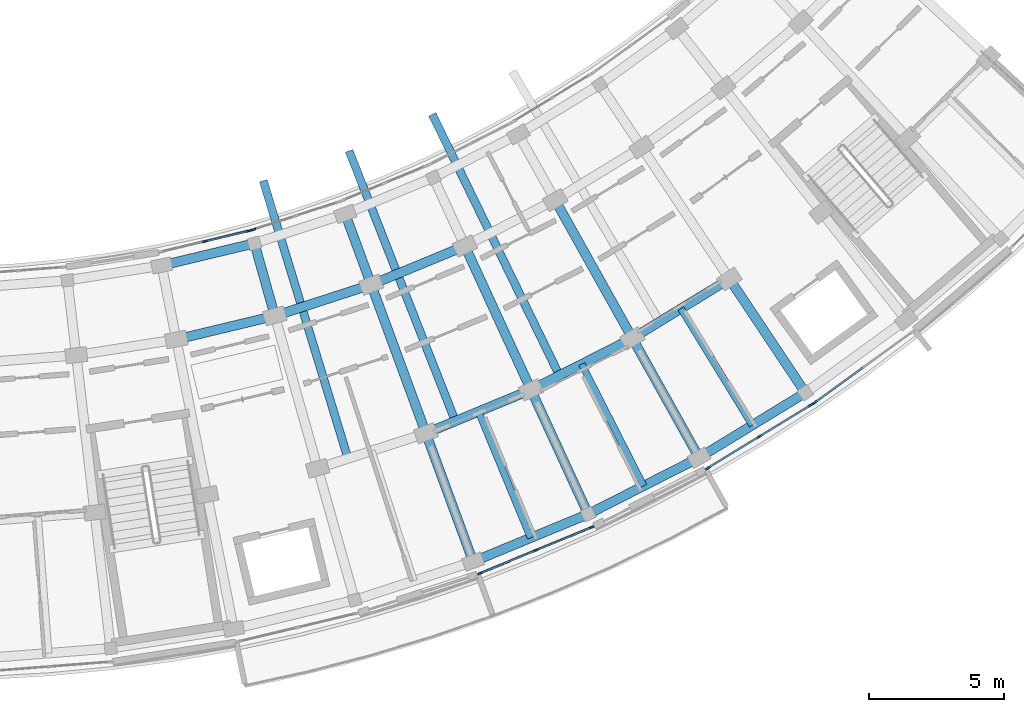
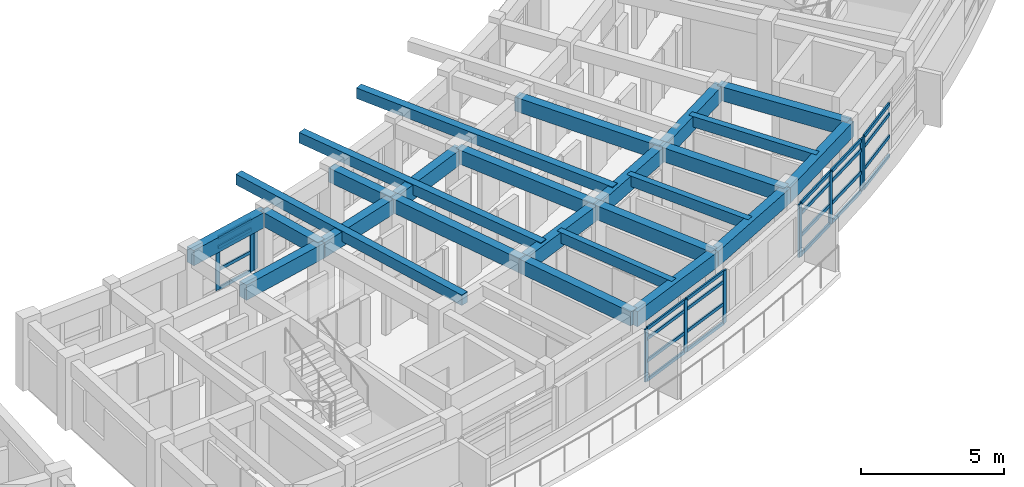
# One storey, part 18 of 55: 34 members, 25 beams, 5 elements without a shape of their own.
"""IFC4 building model written with IfcOpenShell, lengths in metres."""

from ifc_helpers import new_model, si_unit, direction, frame, origin, origin_2d, place, context, subcontext, project, spatial, rectangle, extrude, material, material_profile, profile_set, type_object, element, aggregate, save


model = new_model("IFC4")

# Units and contexts
model_context = context("Model", 3, precision=1e-05, world=origin(), true_north=direction((0.0, 1.0)))
body_context = subcontext(model_context, "Body", "Model", "MODEL_VIEW")
ifc_project = project(units=[si_unit("LENGTHUNIT", "METRE"), si_unit("AREAUNIT", "SQUARE_METRE"), si_unit("VOLUMEUNIT", "CUBIC_METRE"), si_unit("PLANEANGLEUNIT", "RADIAN"), si_unit("MASSUNIT", "GRAM", prefix="KILO")], contexts=[model_context])

# Site, building, storey
site_placement = place(None, origin())
site = spatial("IfcSite", under=ifc_project, at=site_placement, CompositionType="ELEMENT")
building_placement = place(site_placement, origin())
building = spatial("IfcBuilding", under=site, at=building_placement, Name="Zimvara Arc Housing Community", CompositionType="ELEMENT")
storey_placement = place(building_placement, frame((0.0, 0.0, 14.300048828125)))
storey = spatial("IfcBuildingStorey", under=building, at=storey_placement, Name="L04", CompositionType="ELEMENT", Elevation=14.300048828125)

# Beams
ifc_material_1 = material(Name="Concrete C40/50", Category="concrete")
ifc_material_profile_1 = material_profile(ifc_material_1, rectangle(XDim=0.25, YDim=0.449951171875, at=origin_2d()), Name="RC 250x450")
ifc_profile_set_1 = profile_set([ifc_material_profile_1], Name="Concrete C40/50")
beam_type_1 = type_object("IfcBeamType", Name="BM-RC-250x450", PredefinedType="JOIST", material=ifc_profile_set_1)
beam_1_placement = place(storey_placement, frame((146.509033203125, 60.17578125, 2.635009765625), z_axis=(0.381881623909, -0.924211244966, 0.0), x_axis=(0.924211244966, 0.381881623909, 0.0)))
element("IfcBeam", 1, at=beam_1_placement, inside=storey, type_object=beam_type_1, Name="bm:blkD:L04:joist:b4", PredefinedType="JOIST", context=body_context, shape_type="SweptSolid", body=[
    extrude(rectangle(XDim=0.25, YDim=0.449951171875, at=origin_2d()), origin(), (0.0, 0.0, 1.0), 5.076171875),
])
for number, where, z_axis, x_axis, name in (
    (2, (150.343994140625, 61.939453125, 2.635009765625), (0.453225300679, -0.891395998883, 0.0), (0.891395998883, 0.453225300679, 0.0), "bm:blkD:L04:joist:b5"),
    (3, (154.02880859375, 63.998779296875, 2.635009765625), (0.521755418526, -0.85309511969, 0.0), (0.85309511969, 0.521755418526, 0.0), "bm:blkD:L04:joist:b6"),
):
    element("IfcBeam", number, at=place(storey_placement, frame(where, z_axis=z_axis, x_axis=x_axis)), inside=storey, type_object=beam_type_1, Name=name, PredefinedType="JOIST", context=body_context, shape_type="SweptSolid", body=[
        extrude(rectangle(XDim=0.25, YDim=0.449951171875, at=origin_2d()), origin(), (0.0, 0.0, 1.0), 5.075927734375),
    ])
ifc_material_2 = material(Name="Concrete C40/50", Category="concrete")
ifc_material_profile_2 = material_profile(ifc_material_2, rectangle(XDim=0.300048828125, YDim=0.449951171875, at=origin_2d()), Name="RC 300x450")
ifc_profile_set_2 = profile_set([ifc_material_profile_2], Name="Concrete C40/50")
beam_type_2 = type_object("IfcBeamType", Name="BM-RC-300x450", PredefinedType="JOIST", material=ifc_profile_set_2)
beam_2_placement = place(storey_placement, frame((141.673583984375, 58.39990234375, 2.6650390625), z_axis=(-0.2917065774, 0.956507852922, 0.0), x_axis=(-0.956507852922, -0.2917065774, 0.0)))
element("IfcBeam", 4, at=beam_2_placement, inside=storey, type_object=beam_type_2, Name="bm:blkD:L04:cant_in:b3", PredefinedType="JOIST", context=body_context, shape_type="SweptSolid", body=[
    extrude(rectangle(XDim=0.300048828125, YDim=0.449951171875, at=origin_2d()), origin(), (0.0, 0.0, 1.0), 10.820068359375),
])
beam_3_placement = place(storey_placement, frame((145.662841796875, 59.789794921875, 2.6650390625), z_axis=(-0.365852023877, 0.93067303422, 0.0), x_axis=(-0.93067303422, -0.365852023877, 0.0)))
element("IfcBeam", 5, at=beam_3_placement, inside=storey, type_object=beam_type_2, Name="bm:blkD:L04:cant_in:b4", PredefinedType="JOIST", context=body_context, shape_type="SweptSolid", body=[
    extrude(rectangle(XDim=0.300048828125, YDim=0.449951171875, at=origin_2d()), origin(), (0.0, 0.0, 1.0), 10.81982421875),
])
beam_4_placement = place(storey_placement, frame((149.530517578125, 61.488525390625, 2.6650390625), z_axis=(-0.437738890633, 0.899102143044, 0.0), x_axis=(-0.899102143044, -0.437738890633, 0.0)))
element("IfcBeam", 6, at=beam_4_placement, inside=storey, type_object=beam_type_2, Name="bm:blkD:L04:cant_in:b5", PredefinedType="JOIST", context=body_context, shape_type="SweptSolid", body=[
    extrude(rectangle(XDim=0.300048828125, YDim=0.449951171875, at=origin_2d()), origin(), (0.0, 0.0, 1.0), 10.820068359375),
])
ifc_material_3 = material(Name="Concrete C40/50", Category="concrete")
ifc_material_profile_3 = material_profile(ifc_material_3, rectangle(XDim=0.35009765625, YDim=0.60009765625, at=origin_2d()), Name="RC 350x600")
ifc_profile_set_3 = profile_set([ifc_material_profile_3], Name="Concrete C40/50")
beam_type_3 = type_object("IfcBeamType", Name="BM-RC-350x600", PredefinedType="BEAM", material=ifc_profile_set_3)
beam_5_placement = place(storey_placement, frame((138.189453125, 66.42333984375, 2.56005859375), z_axis=(0.270642050381, -0.962680050986, 0.0), x_axis=(0.962680050986, 0.270642050381, 0.0)))
element("IfcBeam", 7, at=beam_5_placement, inside=storey, type_object=beam_type_3, Name="bm:blkD:L04:rad:b3:r01", PredefinedType="BEAM", context=body_context, shape_type="SweptSolid", body=[
    extrude(rectangle(XDim=0.35009765625, YDim=0.60009765625, at=origin_2d()), origin(), (0.0, 0.0, 1.0), 2.800048828125),
])
beam_6_placement = place(storey_placement, frame((141.559814453125, 67.51513671875, 2.56005859375), z_axis=(0.345297205079, -0.93849338845, 0.0), x_axis=(0.93849338845, 0.345297205079, 0.0)))
element("IfcBeam", 8, at=beam_6_placement, inside=storey, type_object=beam_type_3, Name="bm:blkD:L04:rad:b4:r01", PredefinedType="BEAM", context=body_context, shape_type="SweptSolid", body=[
    extrude(rectangle(XDim=0.35009765625, YDim=0.60009765625, at=origin_2d()), origin(), (0.0, 0.0, 1.0), 2.7998046875),
])
beam_7_placement = place(storey_placement, frame((142.526611328125, 64.887451171875, 2.56005859375), z_axis=(0.345324356241, -0.938483398354, 0.0), x_axis=(0.938483398354, 0.345324356241, 0.0)))
element("IfcBeam", 9, at=beam_7_placement, inside=storey, type_object=beam_type_3, Name="bm:blkD:L04:rad:b4:r12", PredefinedType="BEAM", context=body_context, shape_type="SweptSolid", body=[
    extrude(rectangle(XDim=0.35009765625, YDim=0.60009765625, at=origin_2d()), origin(), (0.0, 0.0, 1.0), 5.880126953125),
])
beam_8_placement = place(storey_placement, frame((144.55712890625, 59.369140625, 2.56005859375), z_axis=(0.345302219392, -0.938491543533, 0.0), x_axis=(0.938491543533, 0.345302219392, 0.0)))
element("IfcBeam", 10, at=beam_8_placement, inside=storey, type_object=beam_type_3, Name="bm:blkD:L04:rad:b4:r23", PredefinedType="BEAM", context=body_context, shape_type="SweptSolid", body=[
    extrude(rectangle(XDim=0.35009765625, YDim=0.60009765625, at=origin_2d()), origin(), (0.0, 0.0, 1.0), 5.080078125),
])
beam_9_placement = place(storey_placement, frame((146.004150390625, 66.32421875, 2.56005859375), z_axis=(0.417862428621, -0.908510314056, 0.0), x_axis=(0.908510314056, 0.417862428621, 0.0)))
element("IfcBeam", 11, at=beam_9_placement, inside=storey, type_object=beam_type_3, Name="bm:blkD:L04:rad:b5:r12", PredefinedType="BEAM", context=body_context, shape_type="SweptSolid", body=[
    extrude(rectangle(XDim=0.35009765625, YDim=0.60009765625, at=origin_2d()), origin(), (0.0, 0.0, 1.0), 5.8798828125),
])
beam_10_placement = place(storey_placement, frame((148.461181640625, 60.982177734375, 2.56005859375), z_axis=(0.417872288794, -0.90850577888, 0.0), x_axis=(0.90850577888, 0.417872288794, 0.0)))
element("IfcBeam", 12, at=beam_10_placement, inside=storey, type_object=beam_type_3, Name="bm:blkD:L04:rad:b5:r23", PredefinedType="BEAM", context=body_context, shape_type="SweptSolid", body=[
    extrude(rectangle(XDim=0.35009765625, YDim=0.60009765625, at=origin_2d()), origin(), (0.0, 0.0, 1.0), 5.080078125),
])
beam_11_placement = place(storey_placement, frame((149.358154296875, 68.029541015625, 2.56005859375), z_axis=(0.487862302556, -0.872920599909, 0.0), x_axis=(0.872920599909, 0.487862302556, 0.0)))
element("IfcBeam", 13, at=beam_11_placement, inside=storey, type_object=beam_type_3, Name="bm:blkD:L04:rad:b6:r12", PredefinedType="BEAM", context=body_context, shape_type="SweptSolid", body=[
    extrude(rectangle(XDim=0.35009765625, YDim=0.60009765625, at=origin_2d()), origin(), (0.0, 0.0, 1.0), 5.880126953125),
])
beam_12_placement = place(storey_placement, frame((152.226806640625, 62.896728515625, 2.56005859375), z_axis=(0.48786121213, -0.872921209331, 0.0), x_axis=(0.872921209331, 0.48786121213, 0.0)))
element("IfcBeam", 14, at=beam_12_placement, inside=storey, type_object=beam_type_3, Name="bm:blkD:L04:rad:b6:r23", PredefinedType="BEAM", context=body_context, shape_type="SweptSolid", body=[
    extrude(rectangle(XDim=0.35009765625, YDim=0.60009765625, at=origin_2d()), origin(), (0.0, 0.0, 1.0), 5.079833984375),
])
beam_13_placement = place(storey_placement, frame((155.83056640625, 65.100830078125, 2.56005859375), z_axis=(0.554844365732, -0.83195416329, 0.0), x_axis=(0.83195416329, 0.554844365732, 0.0)))
element("IfcBeam", 15, at=beam_13_placement, inside=storey, type_object=beam_type_3, Name="bm:blkD:L04:rad:b7:r23", PredefinedType="BEAM", context=body_context, shape_type="SweptSolid", body=[
    extrude(rectangle(XDim=0.35009765625, YDim=0.60009765625, at=origin_2d()), origin(), (0.0, 0.0, 1.0), 5.080078125),
])
ifc_material_4 = material(Name="Concrete C40/50", Category="concrete")
ifc_material_profile_4 = material_profile(ifc_material_4, rectangle(XDim=0.35009765625, YDim=0.64990234375, at=origin_2d()), Name="RC 350x650")
ifc_profile_set_4 = profile_set([ifc_material_profile_4], Name="Concrete C40/50")
beam_type_4 = type_object("IfcBeamType", Name="BM-RC-350x650", PredefinedType="BEAM", material=ifc_profile_set_4)
beam_14_placement = place(storey_placement, frame((134.743896484375, 65.599365234375, 2.534912109375), z_axis=(0.972576519525, 0.232583132813, 0.0), x_axis=(-0.232583132813, 0.972576519525, 0.0)))
element("IfcBeam", 16, at=beam_14_placement, inside=storey, type_object=beam_type_4, Name="bm:blkD:L04:chord:r0:b2", PredefinedType="BEAM", context=body_context, shape_type="SweptSolid", body=[
    extrude(rectangle(XDim=0.35009765625, YDim=0.64990234375, at=origin_2d()), origin(), (0.0, 0.0, 1.0), 3.542724609375),
])
beam_15_placement = place(storey_placement, frame((135.28759765625, 62.8525390625, 2.534912109375), z_axis=(0.97257251046, 0.232599896598, 0.0), x_axis=(-0.232599896598, 0.97257251046, 0.0)))
element("IfcBeam", 17, at=beam_15_placement, inside=storey, type_object=beam_type_4, Name="bm:blkD:L04:chord:r1:b2", PredefinedType="BEAM", context=body_context, shape_type="SweptSolid", body=[
    extrude(rectangle(XDim=0.35009765625, YDim=0.64990234375, at=origin_2d()), origin(), (0.0, 0.0, 1.0), 3.762939453125),
])
beam_16_placement = place(storey_placement, frame((138.947265625, 63.727783203125, 2.534912109375), z_axis=(0.951316439628, 0.308215884881, 0.0), x_axis=(-0.308215884881, 0.951316439628, 0.0)))
element("IfcBeam", 18, at=beam_16_placement, inside=storey, type_object=beam_type_4, Name="bm:blkD:L04:chord:r1:b3", PredefinedType="BEAM", context=body_context, shape_type="SweptSolid", body=[
    extrude(rectangle(XDim=0.35009765625, YDim=0.64990234375, at=origin_2d()), origin(), (0.0, 0.0, 1.0), 3.762451171875),
])
beam_17_placement = place(storey_placement, frame((142.526611328125, 64.887451171875, 2.534912109375), z_axis=(0.924224591922, 0.381849320658, 0.0), x_axis=(-0.381849320658, 0.924224591922, 0.0)))
element("IfcBeam", 19, at=beam_17_placement, inside=storey, type_object=beam_type_4, Name="bm:blkD:L04:chord:r1:b4", PredefinedType="BEAM", context=body_context, shape_type="SweptSolid", body=[
    extrude(rectangle(XDim=0.35009765625, YDim=0.64990234375, at=origin_2d()), origin(), (0.0, 0.0, 1.0), 3.7626953125),
])
beam_18_placement = place(storey_placement, frame((144.55712890625, 59.369140625, 2.534912109375), z_axis=(0.924220191381, 0.381859971512, 0.0), x_axis=(-0.381859971512, 0.924220191381, 0.0)))
element("IfcBeam", 20, at=beam_18_placement, inside=storey, type_object=beam_type_4, Name="bm:blkD:L04:chord:r2:b4", PredefinedType="BEAM", context=body_context, shape_type="SweptSolid", body=[
    extrude(rectangle(XDim=0.35009765625, YDim=0.64990234375, at=origin_2d()), origin(), (0.0, 0.0, 1.0), 4.22412109375),
])
for number, where, z_axis, x_axis, name in (
    (21, (148.461181640625, 60.982177734375, 2.534912109375), (0.891401751243, 0.453213986855, 0.0), (-0.453213986855, 0.891401751243, 0.0), "bm:blkD:L04:chord:r2:b5"),
    (22, (152.226806640625, 62.896728515625, 2.534912109375), (0.853091772331, 0.521760891579, 0.0), (-0.521760891579, 0.853091772331, 0.0), "bm:blkD:L04:chord:r2:b6"),
):
    element("IfcBeam", number, at=place(storey_placement, frame(where, z_axis=z_axis, x_axis=x_axis)), inside=storey, type_object=beam_type_4, Name=name, PredefinedType="BEAM", context=body_context, shape_type="SweptSolid", body=[
        extrude(rectangle(XDim=0.35009765625, YDim=0.64990234375, at=origin_2d()), origin(), (0.0, 0.0, 1.0), 4.224365234375),
    ])
beam_19_placement = place(storey_placement, frame((146.311279296875, 54.6015625, 2.534912109375), z_axis=(0.924218077134, 0.38186508861, 0.0), x_axis=(-0.38186508861, 0.924218077134, 0.0)))
element("IfcBeam", 23, at=beam_19_placement, inside=storey, type_object=beam_type_4, Name="bm:blkD:L04:chord:r3:b4", PredefinedType="BEAM", context=body_context, shape_type="SweptSolid", body=[
    extrude(rectangle(XDim=0.35009765625, YDim=0.64990234375, at=origin_2d()), origin(), (0.0, 0.0, 1.0), 4.623046875),
])
for number, where, z_axis, x_axis, name in (
    (24, (150.583984375, 56.366943359375, 2.534912109375), (0.891386215037, 0.453244542871, 0.0), (-0.453244542871, 0.891386215037, 0.0), "bm:blkD:L04:chord:r3:b5"),
    (25, (154.705078125, 58.46240234375, 2.534912109375), (0.853105562062, 0.521738344363, 0.0), (-0.521738344363, 0.853105562062, 0.0), "bm:blkD:L04:chord:r3:b6"),
):
    element("IfcBeam", number, at=place(storey_placement, frame(where, z_axis=z_axis, x_axis=x_axis)), inside=storey, type_object=beam_type_4, Name=name, PredefinedType="BEAM", context=body_context, shape_type="SweptSolid", body=[
        extrude(rectangle(XDim=0.35009765625, YDim=0.64990234375, at=origin_2d()), origin(), (0.0, 0.0, 1.0), 4.623291015625),
    ])

# Curtain wall, members
ifc_material_5 = material(Name="Anodised Aluminium AW-6063", Category="aluminium")
curtain_wall_type_1 = type_object("IfcCurtainWallType", Name="CW-SYS-04", PredefinedType="USERDEFINED", material=ifc_material_5)
curtain_wall_1_placement = place(storey_placement, origin())
curtain_wall_1 = element("IfcCurtainWall", 26, at=curtain_wall_1_placement, inside=storey, type_object=curtain_wall_type_1, Name="cw:blkD:L04:in:b2", ObjectType="CURTAIN WALL", PredefinedType="USERDEFINED")
ifc_material_6 = material(Name="Anodised Aluminium AW-6063", Category="aluminium")
ifc_material_profile_5 = material_profile(ifc_material_6, rectangle(XDim=0.06494140625, YDim=0.179931640625, at=origin_2d()), Name="ALU 65x180")
ifc_profile_set_5 = profile_set([ifc_material_profile_5], Name="Anodised Aluminium AW-6063")
member_type_1 = type_object("IfcMemberType", Name="CWM-65x150", PredefinedType="MULLION", material=ifc_profile_set_5)
member_1_placement = place(storey_placement, frame((136.3505859375, 66.497314453125, 0.0), z_axis=(0.0, 0.0, 1.0), x_axis=(-0.232596003485, 0.972573441526, 0.0)))
member_1 = element("IfcMember", 27, at=member_1_placement, type_object=member_type_1, Name="CW04 mullion 2", PredefinedType="MULLION", context=body_context, shape_type="SweptSolid", body=[
    extrude(rectangle(XDim=0.06494140625, YDim=0.179931640625, at=origin_2d()), origin(), (0.0, 0.0, 1.0), 2.25),
])
member_2_placement = place(storey_placement, frame((137.964111328125, 66.88330078125, 0.0), z_axis=(0.0, 0.0, 1.0), x_axis=(-0.232596003485, 0.972573441526, 0.0)))
member_2 = element("IfcMember", 28, at=member_2_placement, type_object=member_type_1, Name="CW04 mullion 3", PredefinedType="MULLION", context=body_context, shape_type="SweptSolid", body=[
    extrude(rectangle(XDim=0.06494140625, YDim=0.179931640625, at=origin_2d()), origin(), (0.0, 0.0, 1.0), 2.25),
])

ifc_material_7 = material(Name="Anodised Aluminium AW-6063", Category="aluminium")
curtain_wall_type_2 = type_object("IfcCurtainWallType", Name="CW-SYS-06", PredefinedType="USERDEFINED", material=ifc_material_7)
curtain_wall_2_placement = place(storey_placement, origin())
curtain_wall_2 = element("IfcCurtainWall", 29, at=curtain_wall_2_placement, inside=storey, type_object=curtain_wall_type_2, Name="cw:blkD:L04:out:b4", ObjectType="CURTAIN WALL", PredefinedType="USERDEFINED")
member_3_placement = place(storey_placement, frame((146.5693359375, 54.167724609375, 0.0), z_axis=(0.0, 0.0, 1.0), x_axis=(-0.38187646221, 0.924213377749, 0.0)))
member_3 = element("IfcMember", 30, at=member_3_placement, type_object=member_type_1, Name="CW06 mullion 1", PredefinedType="MULLION", context=body_context, shape_type="SweptSolid", body=[
    extrude(rectangle(XDim=0.06494140625, YDim=0.179931640625, at=origin_2d()), origin(), (0.0, 0.0, 1.0), 2.25),
])
member_4_placement = place(storey_placement, frame((148.638427734375, 55.0224609375, 0.0), z_axis=(0.0, 0.0, 1.0), x_axis=(-0.38187646221, 0.924213377749, 0.0)))
member_4 = element("IfcMember", 31, at=member_4_placement, type_object=member_type_1, Name="CW06 mullion 2", PredefinedType="MULLION", context=body_context, shape_type="SweptSolid", body=[
    extrude(rectangle(XDim=0.06494140625, YDim=0.179931640625, at=origin_2d()), origin(), (0.0, 0.0, 1.0), 2.25),
])
member_5_placement = place(storey_placement, frame((150.70751953125, 55.87744140625, 0.0), z_axis=(0.0, 0.0, 1.0), x_axis=(-0.38187646221, 0.924213377749, 0.0)))
member_5 = element("IfcMember", 32, at=member_5_placement, type_object=member_type_1, Name="CW06 mullion 3", PredefinedType="MULLION", context=body_context, shape_type="SweptSolid", body=[
    extrude(rectangle(XDim=0.06494140625, YDim=0.179931640625, at=origin_2d()), origin(), (0.0, 0.0, 1.0), 2.25),
])

# Curtain wall, member
ifc_material_8 = material(Name="Anodised Aluminium AW-6063", Category="aluminium")
curtain_wall_type_3 = type_object("IfcCurtainWallType", Name="CW-SYS-05", PredefinedType="USERDEFINED", material=ifc_material_8)
curtain_wall_3_placement = place(storey_placement, origin())
curtain_wall_3 = element("IfcCurtainWall", 33, at=curtain_wall_3_placement, inside=storey, type_object=curtain_wall_type_3, Name="cw:blkD:L04:in:b3", ObjectType="CURTAIN WALL", PredefinedType="USERDEFINED")
ifc_material_9 = material(Name="Anodised Aluminium AW-6063", Category="aluminium")
ifc_material_profile_6 = material_profile(ifc_material_9, rectangle(XDim=0.06494140625, YDim=0.195068359375, at=origin_2d()), Name="ALU 65x195")
ifc_profile_set_6 = profile_set([ifc_material_profile_6], Name="Anodised Aluminium AW-6063")
member_type_2 = type_object("IfcMemberType", Name="CWM-65x180", PredefinedType="MULLION", material=ifc_profile_set_6)
member_6_placement = place(storey_placement, frame((138.14208984375, 66.93310546875, 0.0), z_axis=(0.0, 0.0, 1.0), x_axis=(-0.308185223559, 0.951326373008, 0.0)))
member_6 = element("IfcMember", 34, at=member_6_placement, type_object=member_type_2, Name="CW05 mullion 1", PredefinedType="MULLION", context=body_context, shape_type="SweptSolid", body=[
    extrude(rectangle(XDim=0.06494140625, YDim=0.195068359375, at=origin_2d()), origin(), (0.0, 0.0, 1.0), 2.25),
])
aggregate(curtain_wall_3, [member_6])

# Curtain wall, members
ifc_material_10 = material(Name="Anodised Aluminium AW-6063", Category="aluminium")
curtain_wall_type_4 = type_object("IfcCurtainWallType", Name="CW-SYS-01", PredefinedType="USERDEFINED", material=ifc_material_10)
curtain_wall_4_placement = place(storey_placement, origin())
curtain_wall_4 = element("IfcCurtainWall", 35, at=curtain_wall_4_placement, inside=storey, type_object=curtain_wall_type_4, Name="cw:blkD:L04:out:b6", ObjectType="CURTAIN WALL", PredefinedType="USERDEFINED")
member_7_placement = place(storey_placement, frame((155.028076171875, 58.07421875, 0.0), z_axis=(0.0, 0.0, 1.0), x_axis=(-0.521754248513, 0.853095835272, 0.0)))
member_7 = element("IfcMember", 36, at=member_7_placement, type_object=member_type_2, Name="CW01 mullion 1", PredefinedType="MULLION", context=body_context, shape_type="SweptSolid", body=[
    extrude(rectangle(XDim=0.06494140625, YDim=0.195068359375, at=origin_2d()), origin(), (0.0, 0.0, 1.0), 2.25),
])
member_8_placement = place(storey_placement, frame((156.93798828125, 59.2421875, 0.0), z_axis=(0.0, 0.0, 1.0), x_axis=(-0.521754248513, 0.853095835272, 0.0)))
member_8 = element("IfcMember", 37, at=member_8_placement, type_object=member_type_2, Name="CW01 mullion 2", PredefinedType="MULLION", context=body_context, shape_type="SweptSolid", body=[
    extrude(rectangle(XDim=0.06494140625, YDim=0.195068359375, at=origin_2d()), origin(), (0.0, 0.0, 1.0), 2.25),
])
member_9_placement = place(storey_placement, frame((158.84765625, 60.410400390625, 0.0), z_axis=(0.0, 0.0, 1.0), x_axis=(-0.521754248513, 0.853095835272, 0.0)))
member_9 = element("IfcMember", 38, at=member_9_placement, type_object=member_type_2, Name="CW01 mullion 3", PredefinedType="MULLION", context=body_context, shape_type="SweptSolid", body=[
    extrude(rectangle(XDim=0.06494140625, YDim=0.195068359375, at=origin_2d()), origin(), (0.0, 0.0, 1.0), 2.25),
])

# Curtain wall, member
ifc_material_11 = material(Name="Anodised Aluminium AW-6063", Category="aluminium")
curtain_wall_type_5 = type_object("IfcCurtainWallType", Name="CW-SYS-03", PredefinedType="USERDEFINED", material=ifc_material_11)
curtain_wall_5_placement = place(storey_placement, origin())
curtain_wall_5 = element("IfcCurtainWall", 39, at=curtain_wall_5_placement, inside=storey, type_object=curtain_wall_type_5, Name="cw:blkD:L04:out:b7", ObjectType="CURTAIN WALL", PredefinedType="USERDEFINED")
member_10_placement = place(storey_placement, frame((159.00146484375, 60.512939453125, 0.0), z_axis=(0.0, 0.0, 1.0), x_axis=(-0.587077917196, 0.809530431263, 0.0)))
member_10 = element("IfcMember", 40, at=member_10_placement, type_object=member_type_2, Name="CW03 mullion 1", PredefinedType="MULLION", context=body_context, shape_type="SweptSolid", body=[
    extrude(rectangle(XDim=0.06494140625, YDim=0.195068359375, at=origin_2d()), origin(), (0.0, 0.0, 1.0), 2.25),
])

# Member
ifc_material_12 = material(Name="Anodised Aluminium AW-6063", Category="aluminium")
ifc_material_profile_7 = material_profile(ifc_material_12, rectangle(XDim=0.06494140625, YDim=0.139892578125, at=origin_2d()), Name="ALU 65x140")
ifc_profile_set_7 = profile_set([ifc_material_profile_7], Name="Anodised Aluminium AW-6063")
member_type_3 = type_object("IfcMemberType", Name="CWT-65x120", PredefinedType="USERDEFINED", material=ifc_profile_set_7)
member_11_placement = place(storey_placement, frame((136.382080078125, 66.5048828125, 0.032470703125), z_axis=(0.972569101566, 0.232614149784, 0.0), x_axis=(-0.232614149784, 0.972569101566, 0.0)))
member_11 = element("IfcMember", 41, at=member_11_placement, type_object=member_type_3, Name="CW04 transom 2.1", ObjectType="TRANSOM", PredefinedType="USERDEFINED", context=body_context, shape_type="SweptSolid", body=[
    extrude(rectangle(XDim=0.06494140625, YDim=0.139892578125, at=origin_2d()), origin(), (0.0, 0.0, 1.0), 1.59423828125),
])

member_12_placement = place(storey_placement, frame((136.382080078125, 66.5048828125, 0.849853515625), z_axis=(0.972569101566, 0.232614149784, 0.0), x_axis=(-0.232614149784, 0.972569101566, 0.0)))
member_12 = element("IfcMember", 42, at=member_12_placement, type_object=member_type_3, Name="CW04 transom 2.2", ObjectType="TRANSOM", PredefinedType="USERDEFINED", context=body_context, shape_type="SweptSolid", body=[
    extrude(rectangle(XDim=0.06494140625, YDim=0.139892578125, at=origin_2d()), origin(), (0.0, 0.0, 1.0), 1.59423828125),
])

member_13_placement = place(storey_placement, frame((136.382080078125, 66.5048828125, 1.800048828125), z_axis=(0.972569101566, 0.232614149784, 0.0), x_axis=(-0.232614149784, 0.972569101566, 0.0)))
member_13 = element("IfcMember", 43, at=member_13_placement, type_object=member_type_3, Name="CW04 transom 2.3", ObjectType="TRANSOM", PredefinedType="USERDEFINED", context=body_context, shape_type="SweptSolid", body=[
    extrude(rectangle(XDim=0.06494140625, YDim=0.139892578125, at=origin_2d()), origin(), (0.0, 0.0, 1.0), 1.59423828125),
])

member_14_placement = place(storey_placement, frame((136.382080078125, 66.5048828125, 2.217529296875), z_axis=(0.972569101566, 0.232614149784, 0.0), x_axis=(-0.232614149784, 0.972569101566, 0.0)))
member_14 = element("IfcMember", 44, at=member_14_placement, type_object=member_type_3, Name="CW04 transom 2.4", ObjectType="TRANSOM", PredefinedType="USERDEFINED", context=body_context, shape_type="SweptSolid", body=[
    extrude(rectangle(XDim=0.06494140625, YDim=0.139892578125, at=origin_2d()), origin(), (0.0, 0.0, 1.0), 1.59423828125),
])

aggregate(curtain_wall_1, [member_1, member_2, member_11, member_12, member_13, member_14])

member_15_placement = place(storey_placement, frame((146.599365234375, 54.179931640625, 0.032470703125), z_axis=(0.924219207316, 0.381862353248, 0.0), x_axis=(-0.381862353248, 0.924219207316, 0.0)))
member_15 = element("IfcMember", 45, at=member_15_placement, type_object=member_type_3, Name="CW06 transom 1.1", ObjectType="TRANSOM", PredefinedType="USERDEFINED", context=body_context, shape_type="SweptSolid", body=[
    extrude(rectangle(XDim=0.06494140625, YDim=0.139892578125, at=origin_2d()), origin(), (0.0, 0.0, 1.0), 2.173828125),
])

member_16_placement = place(storey_placement, frame((146.599365234375, 54.179931640625, 0.849853515625), z_axis=(0.924219207316, 0.381862353248, 0.0), x_axis=(-0.381862353248, 0.924219207316, 0.0)))
member_16 = element("IfcMember", 46, at=member_16_placement, type_object=member_type_3, Name="CW06 transom 1.2", ObjectType="TRANSOM", PredefinedType="USERDEFINED", context=body_context, shape_type="SweptSolid", body=[
    extrude(rectangle(XDim=0.06494140625, YDim=0.139892578125, at=origin_2d()), origin(), (0.0, 0.0, 1.0), 2.173828125),
])

member_17_placement = place(storey_placement, frame((146.599365234375, 54.179931640625, 1.800048828125), z_axis=(0.924219207316, 0.381862353248, 0.0), x_axis=(-0.381862353248, 0.924219207316, 0.0)))
member_17 = element("IfcMember", 47, at=member_17_placement, type_object=member_type_3, Name="CW06 transom 1.3", ObjectType="TRANSOM", PredefinedType="USERDEFINED", context=body_context, shape_type="SweptSolid", body=[
    extrude(rectangle(XDim=0.06494140625, YDim=0.139892578125, at=origin_2d()), origin(), (0.0, 0.0, 1.0), 2.173828125),
])

member_18_placement = place(storey_placement, frame((146.599365234375, 54.179931640625, 2.217529296875), z_axis=(0.924219207316, 0.381862353248, 0.0), x_axis=(-0.381862353248, 0.924219207316, 0.0)))
member_18 = element("IfcMember", 48, at=member_18_placement, type_object=member_type_3, Name="CW06 transom 1.4", ObjectType="TRANSOM", PredefinedType="USERDEFINED", context=body_context, shape_type="SweptSolid", body=[
    extrude(rectangle(XDim=0.06494140625, YDim=0.139892578125, at=origin_2d()), origin(), (0.0, 0.0, 1.0), 2.173828125),
])

member_19_placement = place(storey_placement, frame((148.66845703125, 55.034912109375, 0.032470703125), z_axis=(0.924219207316, 0.381862353248, 0.0), x_axis=(-0.381862353248, 0.924219207316, 0.0)))
member_19 = element("IfcMember", 49, at=member_19_placement, type_object=member_type_3, Name="CW06 transom 2.1", ObjectType="TRANSOM", PredefinedType="USERDEFINED", context=body_context, shape_type="SweptSolid", body=[
    extrude(rectangle(XDim=0.06494140625, YDim=0.139892578125, at=origin_2d()), origin(), (0.0, 0.0, 1.0), 2.173828125),
])

member_20_placement = place(storey_placement, frame((148.66845703125, 55.034912109375, 0.849853515625), z_axis=(0.924219207316, 0.381862353248, 0.0), x_axis=(-0.381862353248, 0.924219207316, 0.0)))
member_20 = element("IfcMember", 50, at=member_20_placement, type_object=member_type_3, Name="CW06 transom 2.2", ObjectType="TRANSOM", PredefinedType="USERDEFINED", context=body_context, shape_type="SweptSolid", body=[
    extrude(rectangle(XDim=0.06494140625, YDim=0.139892578125, at=origin_2d()), origin(), (0.0, 0.0, 1.0), 2.173828125),
])

member_21_placement = place(storey_placement, frame((148.66845703125, 55.034912109375, 1.800048828125), z_axis=(0.924219207316, 0.381862353248, 0.0), x_axis=(-0.381862353248, 0.924219207316, 0.0)))
member_21 = element("IfcMember", 51, at=member_21_placement, type_object=member_type_3, Name="CW06 transom 2.3", ObjectType="TRANSOM", PredefinedType="USERDEFINED", context=body_context, shape_type="SweptSolid", body=[
    extrude(rectangle(XDim=0.06494140625, YDim=0.139892578125, at=origin_2d()), origin(), (0.0, 0.0, 1.0), 2.173828125),
])

member_22_placement = place(storey_placement, frame((148.66845703125, 55.034912109375, 2.217529296875), z_axis=(0.924219207316, 0.381862353248, 0.0), x_axis=(-0.381862353248, 0.924219207316, 0.0)))
member_22 = element("IfcMember", 52, at=member_22_placement, type_object=member_type_3, Name="CW06 transom 2.4", ObjectType="TRANSOM", PredefinedType="USERDEFINED", context=body_context, shape_type="SweptSolid", body=[
    extrude(rectangle(XDim=0.06494140625, YDim=0.139892578125, at=origin_2d()), origin(), (0.0, 0.0, 1.0), 2.173828125),
])

aggregate(curtain_wall_2, [member_3, member_4, member_5, member_15, member_16, member_17, member_18, member_19, member_20, member_21, member_22])

ifc_material_13 = material(Name="Anodised Aluminium AW-6063", Category="aluminium")
ifc_material_profile_8 = material_profile(ifc_material_13, rectangle(XDim=0.06494140625, YDim=0.155029296875, at=origin_2d()), Name="ALU 65x155")
ifc_profile_set_8 = profile_set([ifc_material_profile_8], Name="Anodised Aluminium AW-6063")
member_type_4 = type_object("IfcMemberType", Name="CWT-65x140", PredefinedType="USERDEFINED", material=ifc_profile_set_8)
member_23_placement = place(storey_placement, frame((155.0556640625, 58.091064453125, 0.032470703125), z_axis=(0.85308189023, 0.521777048711, 0.0), x_axis=(-0.521777048711, 0.85308189023, 0.0)))
member_23 = element("IfcMember", 53, at=member_23_placement, type_object=member_type_4, Name="CW01 transom 1.1", ObjectType="TRANSOM", PredefinedType="USERDEFINED", context=body_context, shape_type="SweptSolid", body=[
    extrude(rectangle(XDim=0.06494140625, YDim=0.155029296875, at=origin_2d()), origin(), (0.0, 0.0, 1.0), 2.173828125),
])

member_24_placement = place(storey_placement, frame((155.0556640625, 58.091064453125, 0.849853515625), z_axis=(0.85308189023, 0.521777048711, 0.0), x_axis=(-0.521777048711, 0.85308189023, 0.0)))
member_24 = element("IfcMember", 54, at=member_24_placement, type_object=member_type_4, Name="CW01 transom 1.2", ObjectType="TRANSOM", PredefinedType="USERDEFINED", context=body_context, shape_type="SweptSolid", body=[
    extrude(rectangle(XDim=0.06494140625, YDim=0.155029296875, at=origin_2d()), origin(), (0.0, 0.0, 1.0), 2.173828125),
])

member_25_placement = place(storey_placement, frame((155.0556640625, 58.091064453125, 1.800048828125), z_axis=(0.85308189023, 0.521777048711, 0.0), x_axis=(-0.521777048711, 0.85308189023, 0.0)))
member_25 = element("IfcMember", 55, at=member_25_placement, type_object=member_type_4, Name="CW01 transom 1.3", ObjectType="TRANSOM", PredefinedType="USERDEFINED", context=body_context, shape_type="SweptSolid", body=[
    extrude(rectangle(XDim=0.06494140625, YDim=0.155029296875, at=origin_2d()), origin(), (0.0, 0.0, 1.0), 2.173828125),
])

member_26_placement = place(storey_placement, frame((155.0556640625, 58.091064453125, 2.217529296875), z_axis=(0.85308189023, 0.521777048711, 0.0), x_axis=(-0.521777048711, 0.85308189023, 0.0)))
member_26 = element("IfcMember", 56, at=member_26_placement, type_object=member_type_4, Name="CW01 transom 1.4", ObjectType="TRANSOM", PredefinedType="USERDEFINED", context=body_context, shape_type="SweptSolid", body=[
    extrude(rectangle(XDim=0.06494140625, YDim=0.155029296875, at=origin_2d()), origin(), (0.0, 0.0, 1.0), 2.173828125),
])

member_27_placement = place(storey_placement, frame((156.965576171875, 59.25927734375, 0.032470703125), z_axis=(0.853131879051, 0.521695310452, 0.0), x_axis=(-0.521695310452, 0.853131879051, 0.0)))
member_27 = element("IfcMember", 57, at=member_27_placement, type_object=member_type_4, Name="CW01 transom 2.1", ObjectType="TRANSOM", PredefinedType="USERDEFINED", context=body_context, shape_type="SweptSolid", body=[
    extrude(rectangle(XDim=0.06494140625, YDim=0.155029296875, at=origin_2d()), origin(), (0.0, 0.0, 1.0), 2.173828125),
])

member_28_placement = place(storey_placement, frame((156.965576171875, 59.25927734375, 0.849853515625), z_axis=(0.853131879051, 0.521695310452, 0.0), x_axis=(-0.521695310452, 0.853131879051, 0.0)))
member_28 = element("IfcMember", 58, at=member_28_placement, type_object=member_type_4, Name="CW01 transom 2.2", ObjectType="TRANSOM", PredefinedType="USERDEFINED", context=body_context, shape_type="SweptSolid", body=[
    extrude(rectangle(XDim=0.06494140625, YDim=0.155029296875, at=origin_2d()), origin(), (0.0, 0.0, 1.0), 2.173828125),
])

member_29_placement = place(storey_placement, frame((156.965576171875, 59.25927734375, 1.800048828125), z_axis=(0.853131879051, 0.521695310452, 0.0), x_axis=(-0.521695310452, 0.853131879051, 0.0)))
member_29 = element("IfcMember", 59, at=member_29_placement, type_object=member_type_4, Name="CW01 transom 2.3", ObjectType="TRANSOM", PredefinedType="USERDEFINED", context=body_context, shape_type="SweptSolid", body=[
    extrude(rectangle(XDim=0.06494140625, YDim=0.155029296875, at=origin_2d()), origin(), (0.0, 0.0, 1.0), 2.173828125),
])

member_30_placement = place(storey_placement, frame((156.965576171875, 59.25927734375, 2.217529296875), z_axis=(0.853131879051, 0.521695310452, 0.0), x_axis=(-0.521695310452, 0.853131879051, 0.0)))
member_30 = element("IfcMember", 60, at=member_30_placement, type_object=member_type_4, Name="CW01 transom 2.4", ObjectType="TRANSOM", PredefinedType="USERDEFINED", context=body_context, shape_type="SweptSolid", body=[
    extrude(rectangle(XDim=0.06494140625, YDim=0.155029296875, at=origin_2d()), origin(), (0.0, 0.0, 1.0), 2.173828125),
])

aggregate(curtain_wall_4, [member_7, member_8, member_9, member_23, member_24, member_25, member_26, member_27, member_28, member_29, member_30])

member_31_placement = place(storey_placement, frame((159.02783203125, 60.531982421875, 0.032470703125), z_axis=(0.80954639163, 0.587055908581, 0.0), x_axis=(-0.587055908581, 0.80954639163, 0.0)))
member_31 = element("IfcMember", 61, at=member_31_placement, type_object=member_type_4, Name="CW03 transom 1.1", ObjectType="TRANSOM", PredefinedType="USERDEFINED", context=body_context, shape_type="SweptSolid", body=[
    extrude(rectangle(XDim=0.06494140625, YDim=0.155029296875, at=origin_2d()), origin(), (0.0, 0.0, 1.0), 2.173828125),
])

member_32_placement = place(storey_placement, frame((159.02783203125, 60.531982421875, 0.849853515625), z_axis=(0.80954639163, 0.587055908581, 0.0), x_axis=(-0.587055908581, 0.80954639163, 0.0)))
member_32 = element("IfcMember", 62, at=member_32_placement, type_object=member_type_4, Name="CW03 transom 1.2", ObjectType="TRANSOM", PredefinedType="USERDEFINED", context=body_context, shape_type="SweptSolid", body=[
    extrude(rectangle(XDim=0.06494140625, YDim=0.155029296875, at=origin_2d()), origin(), (0.0, 0.0, 1.0), 2.173828125),
])

member_33_placement = place(storey_placement, frame((159.02783203125, 60.531982421875, 1.800048828125), z_axis=(0.80954639163, 0.587055908581, 0.0), x_axis=(-0.587055908581, 0.80954639163, 0.0)))
member_33 = element("IfcMember", 63, at=member_33_placement, type_object=member_type_4, Name="CW03 transom 1.3", ObjectType="TRANSOM", PredefinedType="USERDEFINED", context=body_context, shape_type="SweptSolid", body=[
    extrude(rectangle(XDim=0.06494140625, YDim=0.155029296875, at=origin_2d()), origin(), (0.0, 0.0, 1.0), 2.173828125),
])

member_34_placement = place(storey_placement, frame((159.02783203125, 60.531982421875, 2.217529296875), z_axis=(0.80954639163, 0.587055908581, 0.0), x_axis=(-0.587055908581, 0.80954639163, 0.0)))
member_34 = element("IfcMember", 64, at=member_34_placement, type_object=member_type_4, Name="CW03 transom 1.4", ObjectType="TRANSOM", PredefinedType="USERDEFINED", context=body_context, shape_type="SweptSolid", body=[
    extrude(rectangle(XDim=0.06494140625, YDim=0.155029296875, at=origin_2d()), origin(), (0.0, 0.0, 1.0), 2.173828125),
])

aggregate(curtain_wall_5, [member_10, member_31, member_32, member_33, member_34])

save(model, "model.ifc")
